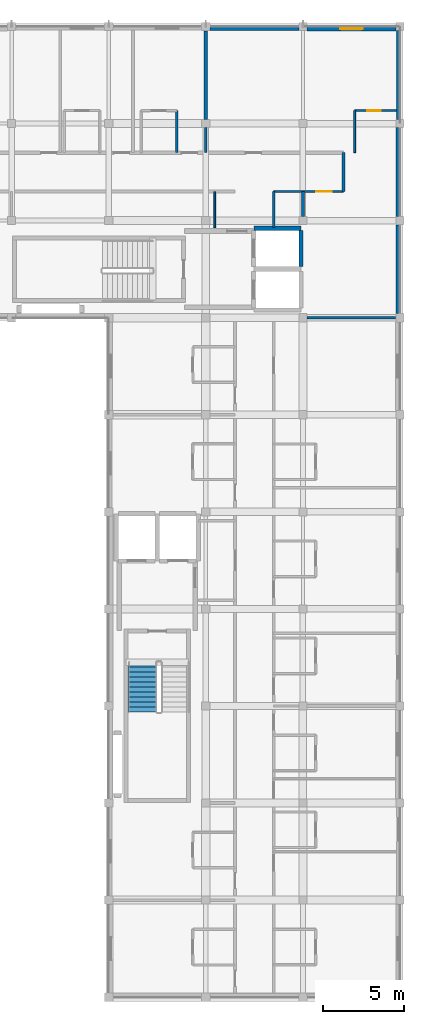
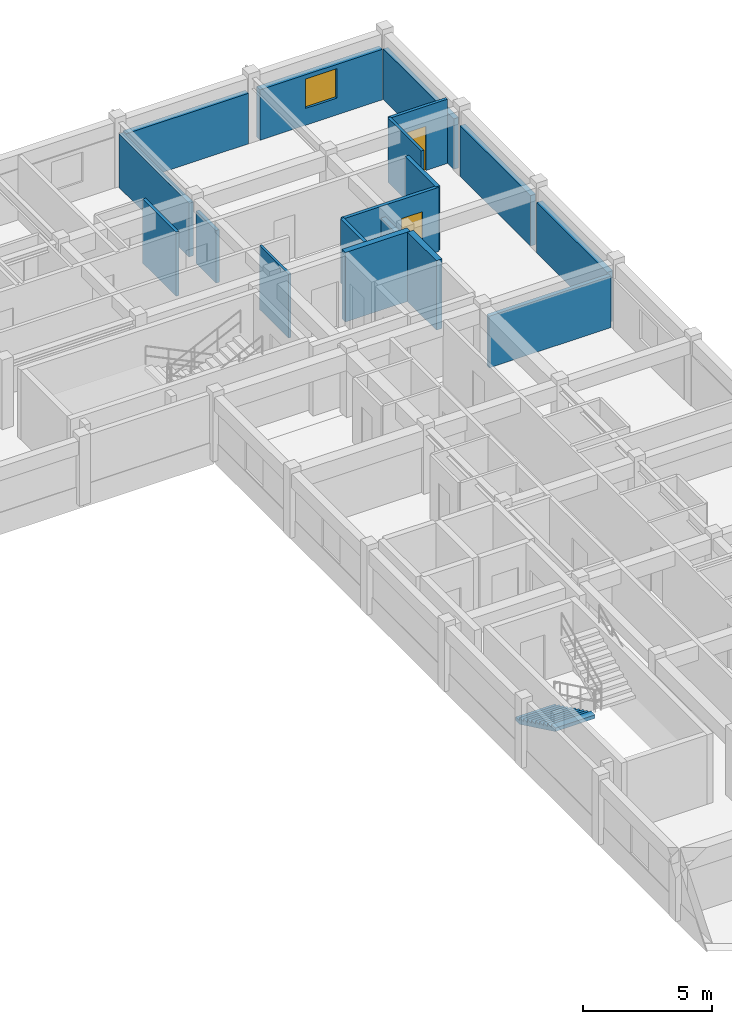
# One storey, part 9 of 14: 18 walls, 2 doors, 1 stair flight, 1 window, 3 openings, 1 element without a shape of its own.
"""IFC4 building model written with IfcOpenShell, lengths in metres."""

from ifc_helpers import new_model, si_unit, direction, frame, frame_2d, origin, place, context, subcontext, project, spatial, polyline, rectangle, outline, extrude, material, layer, layer_set, type_object, element, fill, aggregate, save


model = new_model("IFC4")

# Units and contexts
model_context = context("Model", 3, precision=1e-05, world=origin(), true_north=direction((0.0, 1.0)))
body_context = subcontext(model_context, "Body", "Model", "MODEL_VIEW")
ifc_project = project(units=[si_unit("LENGTHUNIT", "METRE"), si_unit("AREAUNIT", "SQUARE_METRE"), si_unit("VOLUMEUNIT", "CUBIC_METRE"), si_unit("PLANEANGLEUNIT", "RADIAN"), si_unit("MASSUNIT", "GRAM", prefix="KILO"), si_unit("THERMODYNAMICTEMPERATUREUNIT", "KELVIN"), si_unit("POWERUNIT", "WATT")], contexts=[model_context])

# Site, building, storey
site_placement = place(None, origin())
site = spatial("IfcSite", under=ifc_project, at=site_placement, CompositionType="ELEMENT")
building_placement = place(site_placement, origin())
building = spatial("IfcBuilding", under=site, at=building_placement, Name="Phaisarnlok Congress Hotel", CompositionType="ELEMENT")
storey_placement = place(building_placement, frame((0.0, 0.0, 48.0)))
storey = spatial("IfcBuildingStorey", under=building, at=storey_placement, Name="L12", CompositionType="ELEMENT", Elevation=48.0)

# Walls
ifc_material_1 = material(Name="Concrete C40/50", Category="concrete")
ifc_layer_1 = layer(ifc_material_1, 0.2099609375, Name="Concrete C40/50")
ifc_layer_set_1 = layer_set([ifc_layer_1], Name="Concrete C40/50")
wall_type_1 = type_object("IfcWallType", Name="WL-EXT-210", PredefinedType="SOLIDWALL", material=ifc_layer_set_1)
wall_1_placement = place(storey_placement, frame((179.89501953125, 120.2548828125, 0.0), z_axis=(0.0, 0.0, 1.0), x_axis=(0.0, 1.0, 0.0)))
element("IfcWall", 1, at=wall_1_placement, inside=storey, type_object=wall_type_1, Name="Exterior wall EW-07 (L12)", PredefinedType="SOLIDWALL", context=body_context, shape_type="SweptSolid", body=[
    extrude(rectangle(XDim=5.490234375, YDim=0.2099609375, at=frame_2d((2.7451171875, 0.0))), origin(), (0.0, 0.0, 1.0), 2.39990234375),
])
ifc_layer_2 = layer(ifc_material_1, 0.22998046875, Name="Concrete C40/50")
ifc_layer_set_2 = layer_set([ifc_layer_2], Name="Concrete C40/50")
wall_type_2 = type_object("IfcWallType", Name="WL-EXT-230", PredefinedType="SOLIDWALL", material=ifc_layer_set_2)
wall_2_placement = place(storey_placement, frame((179.885009765625, 114.2548828125, 0.0), z_axis=(0.0, 0.0, 1.0), x_axis=(0.0, 1.0, 0.0)))
element("IfcWall", 2, at=wall_2_placement, inside=storey, type_object=wall_type_2, Name="Exterior wall EW-06 (L12)", PredefinedType="SOLIDWALL", context=body_context, shape_type="SweptSolid", body=[
    extrude(rectangle(XDim=5.490234375, YDim=0.22998046875, at=frame_2d((2.7451171875, 0.0))), origin(), (0.0, 0.0, 1.0), 2.39990234375),
])
ifc_layer_3 = layer(ifc_material_1, 0.25, Name="Concrete C40/50")
ifc_layer_set_3 = layer_set([ifc_layer_3], Name="Concrete C40/50")
wall_type_3 = type_object("IfcWallType", Name="WL-EXT-250", PredefinedType="SOLIDWALL", material=ifc_layer_set_3)
for number, where, z_axis, x_axis, name in (
    (3, (179.875, 108.2548828125, 0.0), (0.0, 0.0, 1.0), (0.0, 1.0, 0.0), "Exterior wall EW-05 (L12)"),
    (4, (173.7451171875, 125.875, 0.0), (0.0, 0.0, 1.0), (-1.0, 0.0, 0.0), "Exterior wall EW-05 (L12)"),
):
    element("IfcWall", number, at=place(storey_placement, frame(where, z_axis=z_axis, x_axis=x_axis)), inside=storey, type_object=wall_type_3, Name=name, PredefinedType="SOLIDWALL", context=body_context, shape_type="SweptSolid", body=[
        extrude(rectangle(XDim=5.490234375, YDim=0.25, at=frame_2d((2.7451171875, 0.0))), origin(), (0.0, 0.0, 1.0), 2.39990234375),
    ])

# Wall, opening, window
ifc_layer_4 = layer(ifc_material_1, 0.27001953125, Name="Concrete C40/50")
ifc_layer_set_4 = layer_set([ifc_layer_4], Name="Concrete C40/50")
wall_type_4 = type_object("IfcWallType", Name="WL-EXT-270", PredefinedType="SOLIDWALL", material=ifc_layer_set_4)
wall_3_placement = place(storey_placement, frame((179.7451171875, 125.864990234375, 0.0), z_axis=(0.0, 0.0, 1.0), x_axis=(-1.0, 0.0, 0.0)))
wall_3 = element("IfcWall", 5, at=wall_3_placement, inside=storey, type_object=wall_type_4, Name="Exterior wall EW-04 (L12)", PredefinedType="SOLIDWALL", context=body_context, shape_type="SweptSolid", body=[
    extrude(rectangle(XDim=5.490234375, YDim=0.27001953125, at=frame_2d((2.7451171875, 0.0))), origin(), (0.0, 0.0, 1.0), 2.39990234375),
])
opening_1_placement = place(wall_3_placement, frame((2.044921875, 0.0, 0.800048828125)))
opening_1 = element("IfcOpeningElement", 6, at=opening_1_placement, cuts=wall_3, Name="Opening W-13", PredefinedType="OPENING", context=body_context, shape_type="SweptSolid", body=[
    extrude(rectangle(XDim=1.39990234375, YDim=1.39990234375, at=frame_2d((0.699951171875, 0.699951171875))), frame((0.0, 0.14501953125, 0.0), z_axis=(0.0, -1.0, 0.0), x_axis=(1.0, 0.0, 0.0)), (0.0, 0.0, 1.0), 0.2900390625),
])
ifc_material_2 = material(Name="Thermally Broken Aluminium & Low-E Double Glazing", Category="aluminium")
window_type = type_object("IfcWindowType", Name="WIN-POD-1400", PartitioningType="SINGLE_PANEL", PredefinedType="WINDOW", material=ifc_material_2)
window_placement = place(opening_1_placement, origin())
window = element("IfcWindow", 7, at=window_placement, inside=storey, type_object=window_type, Name="Guestroom window W-13 (L12)", OverallHeight=1.39990234375, OverallWidth=1.39990234375, PartitioningType="SINGLE_PANEL", PredefinedType="WINDOW", context=body_context, shape_type="SweptSolid", body=[
    extrude(rectangle(XDim=1.39990234375, YDim=1.39990234375, at=frame_2d((0.699951171875, 0.699951171875))), frame((0.0, 0.030029296875, 0.0), z_axis=(0.0, -1.0, 0.0), x_axis=(1.0, 0.0, 0.0)), (0.0, 0.0, 1.0), 0.06005859375),
])
fill(opening_1, window)

# Walls
ifc_material_3 = material(Name="Service Riser Shaftwall Partition", Category="gypsum")
ifc_layer_5 = layer(ifc_material_3, 0.10498046875, Name="Service Riser Shaftwall Partition")
ifc_layer_set_5 = layer_set([ifc_layer_5], Name="Service Riser Shaftwall Partition")
wall_type_5 = type_object("IfcWallType", Name="WL-INT-105", PredefinedType="PARTITIONING", material=ifc_layer_set_5)
wall_4_placement = place(storey_placement, frame((168.550048828125, 113.56005859375, 0.0), z_axis=(0.0, 0.0, 1.0), x_axis=(0.0, 1.0, 0.0)))
element("IfcWall", 8, at=wall_4_placement, inside=storey, type_object=wall_type_5, Name="Interior partition wall IW-08 (L12)", PredefinedType="PARTITIONING", context=body_context, shape_type="SweptSolid", body=[
    extrude(rectangle(XDim=2.239990234375, YDim=0.10498046875, at=frame_2d((1.1201171875, 0.0))), origin(), (0.0, 0.0, 1.0), 3.050048828125),
])
ifc_material_4 = material(Name="Lightweight Metal-Stud Gypsum Partition", Category="gypsum")
ifc_layer_6 = layer(ifc_material_4, 0.1201171875, Name="Lightweight Metal-Stud Gypsum Partition")
ifc_layer_set_6 = layer_set([ifc_layer_6], Name="Lightweight Metal-Stud Gypsum Partition")
wall_type_6 = type_object("IfcWallType", Name="WL-INT-120", PredefinedType="PARTITIONING", material=ifc_layer_set_6)
wall_5_placement = place(storey_placement, frame((177.199951171875, 118.199951171875, 0.0), z_axis=(0.0, 0.0, 1.0), x_axis=(0.0, 1.0, 0.0)))
element("IfcWall", 9, at=wall_5_placement, inside=storey, type_object=wall_type_6, Name="Interior partition wall IW-07 (L12)", PredefinedType="PARTITIONING", context=body_context, shape_type="SweptSolid", body=[
    extrude(rectangle(XDim=2.60009765625, YDim=0.1201171875, at=frame_2d((1.300048828125, 0.0))), origin(), (0.0, 0.0, 1.0), 3.050048828125),
])
ifc_material_5 = material(Name="Moisture-Resistant Gypsum Partition", Category="gypsum")
ifc_layer_7 = layer(ifc_material_5, 0.135009765625, Name="Moisture-Resistant Gypsum Partition")
ifc_layer_set_7 = layer_set([ifc_layer_7], Name="Moisture-Resistant Gypsum Partition")
wall_type_7 = type_object("IfcWallType", Name="WL-INT-135", PredefinedType="PARTITIONING", material=ifc_layer_set_7)
wall_6_placement = place(storey_placement, frame((166.199951171875, 118.199951171875, 0.0), z_axis=(0.0, 0.0, 1.0), x_axis=(0.0, 1.0, 0.0)))
element("IfcWall", 10, at=wall_6_placement, inside=storey, type_object=wall_type_7, Name="Interior partition wall IW-06 (L12)", PredefinedType="PARTITIONING", context=body_context, shape_type="SweptSolid", body=[
    extrude(rectangle(XDim=2.60009765625, YDim=0.135009765625, at=frame_2d((1.300048828125, 0.0))), origin(), (0.0, 0.0, 1.0), 3.050048828125),
])

# Wall, opening, door
wall_7_placement = place(storey_placement, frame((177.199951171875, 120.800048828125, 0.0), z_axis=(0.0, 0.0, 1.0), x_axis=(1.0, 0.0, 0.0)))
wall_7 = element("IfcWall", 11, at=wall_7_placement, inside=storey, type_object=wall_type_7, Name="Interior partition wall IW-06 (L12)", PredefinedType="PARTITIONING", context=body_context, shape_type="SweptSolid", body=[
    extrude(rectangle(XDim=2.5849609375, YDim=0.135009765625, at=frame_2d((1.29248046875, 0.0))), origin(), (0.0, 0.0, 1.0), 3.050048828125),
])
opening_2_placement = place(wall_7_placement, frame((0.77490234375, 0.0, 0.0)))
opening_2 = element("IfcOpeningElement", 12, at=opening_2_placement, cuts=wall_7, Name="Opening D-0701", PredefinedType="OPENING", context=body_context, shape_type="SweptSolid", body=[
    extrude(rectangle(XDim=0.85009765625, YDim=2.10009765625, at=frame_2d((0.425048828125, 1.050048828125))), frame((0.0, 0.07763671875, 0.0), z_axis=(0.0, -1.0, 0.0), x_axis=(1.0, 0.0, 0.0)), (0.0, 0.0, 1.0), 0.155029296875),
])
ifc_material_6 = material(Name="Moisture-Resistant Lacquered Timber", Category="wood")
door_type_1 = type_object("IfcDoorType", Name="DR-BATH-850", OperationType="NOTDEFINED", PredefinedType="DOOR", material=ifc_material_6)
door_1_placement = place(opening_2_placement, origin())
door_1 = element("IfcDoor", 13, at=door_1_placement, inside=storey, type_object=door_type_1, Name="Interior door D-0701 (L12)", OperationType="SINGLE_SWING_RIGHT", OverallHeight=2.10009765625, OverallWidth=0.85009765625, PredefinedType="DOOR", context=body_context, shape_type="SweptSolid", body=[
    extrude(rectangle(XDim=0.85009765625, YDim=2.10009765625, at=frame_2d((0.425048828125, 1.050048828125))), frame((0.0, 0.02490234375, 0.0), z_axis=(0.0, -1.0, 0.0), x_axis=(1.0, 0.0, 0.0)), (0.0, 0.0, 1.0), 0.050048828125),
])
fill(opening_2, door_1)

# Walls
ifc_material_7 = material(Name="Acoustic Gypsum Board & Mineral Wool", Category="gypsum")
ifc_layer_8 = layer(ifc_material_7, 0.14990234375, Name="Acoustic Gypsum Board & Mineral Wool")
ifc_layer_set_8 = layer_set([ifc_layer_8], Name="Acoustic Gypsum Board & Mineral Wool")
wall_type_8 = type_object("IfcWallType", Name="WL-INT-150", PredefinedType="PARTITIONING", material=ifc_layer_set_8)
wall_8_placement = place(storey_placement, frame((168.0, 118.199951171875, 0.0), z_axis=(0.0, 0.0, 1.0), x_axis=(0.0, 1.0, 0.0)))
element("IfcWall", 14, at=wall_8_placement, inside=storey, type_object=wall_type_8, Name="Interior partition wall IW-05 (L12)", PredefinedType="PARTITIONING", context=body_context, shape_type="SweptSolid", body=[
    extrude(rectangle(XDim=1.545166015625, YDim=0.14990234375, at=frame_2d((0.7724609375, 0.0))), origin(), (0.0, 0.0, 1.0), 2.5),
])
wall_9_placement = place(storey_placement, frame((172.199951171875, 113.56005859375, 0.0), z_axis=(0.0, 0.0, 1.0), x_axis=(0.0, 1.0, 0.0)))
element("IfcWall", 15, at=wall_9_placement, inside=storey, type_object=wall_type_8, Name="Interior partition wall IW-05 (L12)", PredefinedType="PARTITIONING", context=body_context, shape_type="SweptSolid", body=[
    extrude(rectangle(XDim=2.239990234375, YDim=0.14990234375, at=frame_2d((1.1201171875, 0.0))), origin(), (0.0, 0.0, 1.0), 3.050048828125),
])

# Wall, opening, door
wall_10_placement = place(storey_placement, frame((172.199951171875, 115.800048828125, 0.0), z_axis=(0.0, 0.0, 1.0), x_axis=(1.0, 0.0, 0.0)))
wall_10 = element("IfcWall", 16, at=wall_10_placement, inside=storey, type_object=wall_type_8, Name="Interior partition wall IW-05 (L12)", PredefinedType="PARTITIONING", context=body_context, shape_type="SweptSolid", body=[
    extrude(rectangle(XDim=4.300048828125, YDim=0.14990234375, at=frame_2d((2.14990234375, 0.0))), origin(), (0.0, 0.0, 1.0), 3.050048828125),
])
opening_3_placement = place(wall_10_placement, frame((2.6201171875, 0.0, 0.0)))
opening_3 = element("IfcOpeningElement", 17, at=opening_3_placement, cuts=wall_10, Name="Opening D-0715", PredefinedType="OPENING", context=body_context, shape_type="SweptSolid", body=[
    extrude(rectangle(XDim=0.9599609375, YDim=2.14990234375, at=frame_2d((0.47998046875, 1.074951171875))), frame((0.0, 0.0849609375, 0.0), z_axis=(0.0, -1.0, 0.0), x_axis=(1.0, 0.0, 0.0)), (0.0, 0.0, 1.0), 0.169921875),
])
ifc_material_8 = material(Name="Fire-Rated Steel Frame & Timber Leaf", Category="steel")
door_type_2 = type_object("IfcDoorType", Name="DR-FD60-950", OperationType="NOTDEFINED", PredefinedType="DOOR", material=ifc_material_8)
door_2_placement = place(opening_3_placement, origin())
door_2 = element("IfcDoor", 18, at=door_2_placement, inside=storey, type_object=door_type_2, Name="Interior door D-0715 (L12)", OperationType="SINGLE_SWING_RIGHT", OverallHeight=2.14990234375, OverallWidth=0.9599609375, PredefinedType="DOOR", context=body_context, shape_type="SweptSolid", body=[
    extrude(rectangle(XDim=0.9599609375, YDim=2.14990234375, at=frame_2d((0.47998046875, 1.074951171875))), frame((0.0, 0.02490234375, 0.0), z_axis=(0.0, -1.0, 0.0), x_axis=(1.0, 0.0, 0.0)), (0.0, 0.0, 1.0), 0.050048828125),
])
fill(opening_3, door_2)

# Walls
ifc_material_9 = material(Name="Autoclaved Aerated Concrete Block", Category="concrete")
ifc_layer_9 = layer(ifc_material_9, 0.179931640625, Name="Autoclaved Aerated Concrete Block")
ifc_layer_set_9 = layer_set([ifc_layer_9], Name="Autoclaved Aerated Concrete Block")
wall_type_9 = type_object("IfcWallType", Name="WL-INT-180", PredefinedType="PARTITIONING", material=ifc_layer_set_9)
wall_11_placement = place(storey_placement, frame((176.5, 115.800048828125, 0.0), z_axis=(0.0, 0.0, 1.0), x_axis=(0.0, 1.0, 0.0)))
element("IfcWall", 19, at=wall_11_placement, inside=storey, type_object=wall_type_9, Name="Interior partition wall IW-03 (L12)", PredefinedType="PARTITIONING", context=body_context, shape_type="SweptSolid", body=[
    extrude(rectangle(XDim=2.39990234375, YDim=0.179931640625, at=frame_2d((1.199951171875, 0.0))), origin(), (0.0, 0.0, 1.0), 3.050048828125),
])
wall_12_placement = place(storey_placement, frame((174.2548828125, 108.0, 0.0), z_axis=(0.0, 0.0, 1.0), x_axis=(1.0, 0.0, 0.0)))
element("IfcWall", 20, at=wall_12_placement, inside=storey, type_object=wall_type_9, Name="Interior partition wall IW-03 (L12)", PredefinedType="PARTITIONING", context=body_context, shape_type="SweptSolid", body=[
    extrude(rectangle(XDim=5.465087890625, YDim=0.179931640625, at=frame_2d((2.732421875, 0.0))), origin(), (0.0, 0.0, 1.0), 2.449951171875),
])
ifc_layer_10 = layer(ifc_material_9, 0.199951171875, Name="Autoclaved Aerated Concrete Block")
ifc_layer_set_10 = layer_set([ifc_layer_10], Name="Autoclaved Aerated Concrete Block")
wall_type_10 = type_object("IfcWallType", Name="WL-INT-200", PredefinedType="PARTITIONING", material=ifc_layer_set_10)
wall_13_placement = place(storey_placement, frame((168.0, 120.2548828125, 0.0), z_axis=(0.0, 0.0, 1.0), x_axis=(0.0, 1.0, 0.0)))
element("IfcWall", 21, at=wall_13_placement, inside=storey, type_object=wall_type_10, Name="Interior partition wall IW-02 (L12)", PredefinedType="PARTITIONING", context=body_context, shape_type="SweptSolid", body=[
    extrude(rectangle(XDim=5.465087890625, YDim=0.199951171875, at=frame_2d((2.732421875, 0.0))), origin(), (0.0, 0.0, 1.0), 2.550048828125),
])
wall_14_placement = place(storey_placement, frame((174.0, 114.2548828125, 0.0), z_axis=(0.0, 0.0, 1.0), x_axis=(0.0, 1.0, 0.0)))
element("IfcWall", 22, at=wall_14_placement, inside=storey, type_object=wall_type_10, Name="Interior partition wall IW-02 (L12)", PredefinedType="PARTITIONING", context=body_context, shape_type="SweptSolid", body=[
    extrude(rectangle(XDim=1.545166015625, YDim=0.199951171875, at=frame_2d((0.7724609375, 0.0))), origin(), (0.0, 0.0, 1.0), 2.5),
])
ifc_material_10 = material(Name="Concrete C50/60", Category="concrete")
ifc_layer_11 = layer(ifc_material_10, 0.260009765625, Name="Concrete C50/60")
ifc_layer_set_11 = layer_set([ifc_layer_11], Name="Concrete C50/60")
wall_type_11 = type_object("IfcWallType", Name="WL-SHR-260", PredefinedType="SHEAR", material=ifc_layer_set_11)
wall_15_placement = place(storey_placement, frame((170.969970703125, 113.530029296875, 0.0), z_axis=(0.0, 0.0, 1.0), x_axis=(1.0, 0.0, 0.0)))
element("IfcWall", 23, at=wall_15_placement, inside=storey, type_object=wall_type_11, Name="Lift shaft shear wall SW-04 (LF-HP1 L12)", PredefinedType="SHEAR", context=body_context, shape_type="SweptSolid", body=[
    extrude(rectangle(XDim=2.909912109375, YDim=0.260009765625, at=frame_2d((1.455078125, 0.0))), origin(), (0.0, 0.0, 1.0), 3.300048828125),
])
wall_16_placement = place(storey_placement, frame((173.8798828125, 111.14990234375, 0.0), z_axis=(0.0, 0.0, 1.0), x_axis=(0.0, 1.0, 0.0)))
element("IfcWall", 24, at=wall_16_placement, inside=storey, type_object=wall_type_11, Name="Lift shaft shear wall SW-04 (LF-HP1 L12)", PredefinedType="SHEAR", context=body_context, shape_type="SweptSolid", body=[
    extrude(rectangle(XDim=2.25, YDim=0.260009765625, at=frame_2d((1.125, 0.0))), origin(), (0.0, 0.0, 1.0), 3.300048828125),
])

# Stair, stair flight
stair_type = type_object("IfcStairType", Name="STR-DOG-05", PredefinedType="HALF_TURN_STAIR", material=ifc_material_1)
stair_placement = place(storey_placement, origin())
stair = element("IfcStair", 25, at=stair_placement, inside=storey, type_object=stair_type, Name="L12 ST-09", PredefinedType="HALF_TURN_STAIR")
stair_flight_type = type_object("IfcStairFlightType", Name="SFL-RC-05", PredefinedType="STRAIGHT", material=ifc_material_1)
stair_flight_placement = place(storey_placement, frame((164.090087890625, 86.719970703125, 0.0), z_axis=(0.0, 0.0, 1.0), x_axis=(0.0, -1.0, 0.0)))
stair_flight = element("IfcStairFlight", 26, at=stair_flight_placement, type_object=stair_flight_type, Name="ST-09 flight 1", NumberOfRisers=11, NumberOfTreads=10, PredefinedType="STRAIGHT", RiserHeight=0.15, TreadLength=0.31, context=body_context, shape_type="SweptSolid", body=[
    extrude(outline(polyline([(0.0, 0.0), (0.0, 0.14990234375), (0.31005859375, 0.14990234375), (0.31005859375, 0.300048828125), (0.6201171875, 0.300048828125), (0.6201171875, 0.449951171875), (0.929931640625, 0.449951171875), (0.929931640625, 0.60009765625), (1.239990234375, 0.60009765625), (1.239990234375, 0.75), (1.550048828125, 0.75), (1.550048828125, 0.89990234375), (1.860107421875, 0.89990234375), (1.860107421875, 1.050048828125), (2.169921875, 1.050048828125), (2.169921875, 1.199951171875), (2.47998046875, 1.199951171875), (2.47998046875, 1.35009765625), (2.7900390625, 1.35009765625), (2.7900390625, 1.5), (3.10009765625, 1.5), (3.10009765625, 1.64990234375), (3.10009765625, 1.33349609375), (0.34423828125, 0.0), (0.0, 0.0)])), frame((0.0, 0.89013671875, 0.0), z_axis=(0.0, -1.0, 0.0), x_axis=(1.0, 0.0, 0.0)), (0.0, 0.0, 1.0), 1.780029296875),
])
aggregate(stair, [stair_flight])

save(model, "model.ifc")
